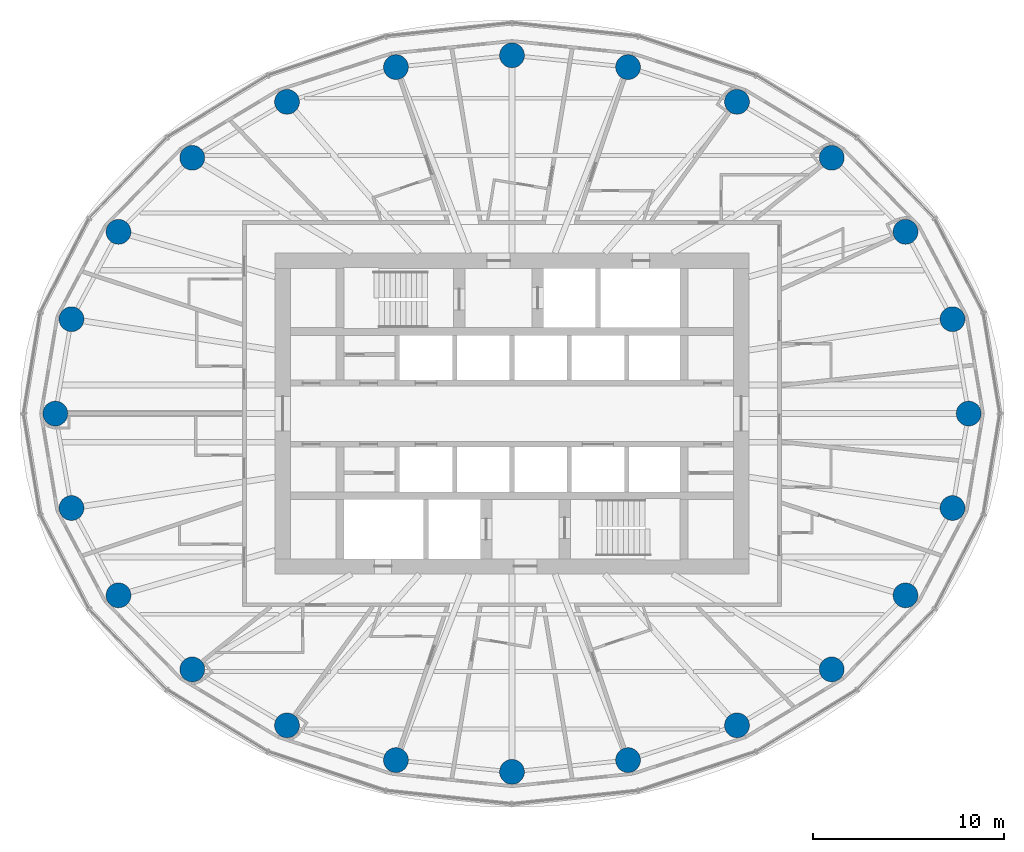
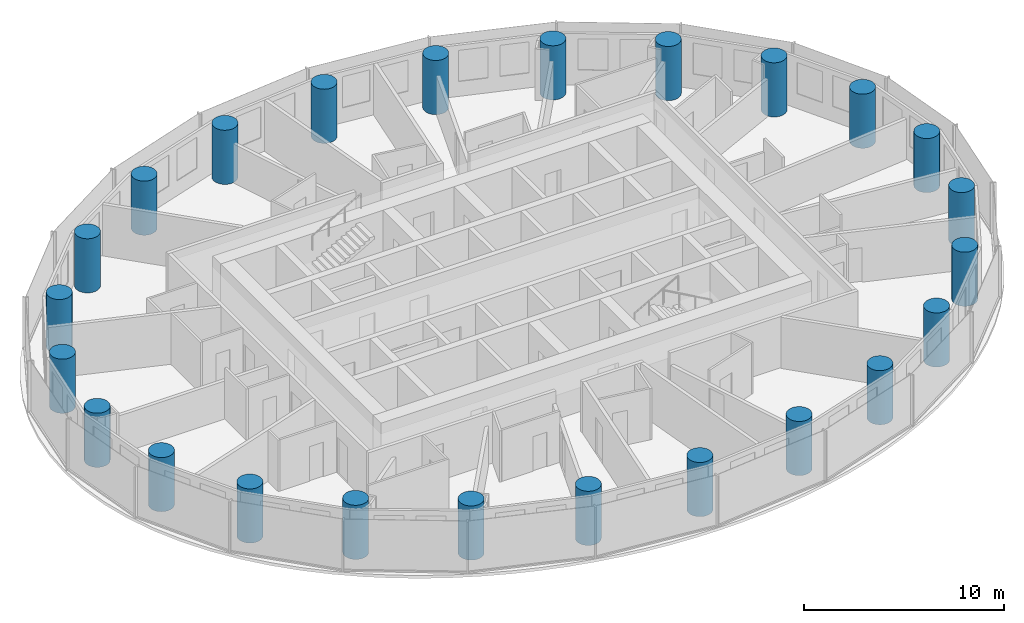
# One storey, part 1 of 13: 24 columns.
"""IFC4 building model written with IfcOpenShell, lengths in metres."""

from ifc_helpers import new_model, si_unit, direction, frame, origin, origin_2d, place, context, subcontext, project, spatial, circle, extrude, material, material_profile, profile_set, type_object, element, save


model = new_model("IFC4")

# Units and contexts
model_context = context("Model", 3, precision=1e-05, world=origin(), true_north=direction((0.0, 1.0)))
body_context = subcontext(model_context, "Body", "Model", "MODEL_VIEW")
ifc_project = project(units=[si_unit("LENGTHUNIT", "METRE"), si_unit("AREAUNIT", "SQUARE_METRE"), si_unit("VOLUMEUNIT", "CUBIC_METRE"), si_unit("PLANEANGLEUNIT", "RADIAN"), si_unit("MASSUNIT", "GRAM", prefix="KILO")], contexts=[model_context])

# Site, building, storey
site_placement = place(None, origin())
site = spatial("IfcSite", under=ifc_project, at=site_placement, CompositionType="ELEMENT")
building_placement = place(site_placement, origin())
building = spatial("IfcBuilding", under=site, at=building_placement, Name="Hankou Lantern Tower", CompositionType="ELEMENT")
storey_placement = place(building_placement, frame((0.0, 0.0, 122.10009765625)))
storey = spatial("IfcBuildingStorey", under=building, at=storey_placement, Name="L31", CompositionType="ELEMENT", Elevation=122.10009765625)

# Columns
ifc_material = material(Name="Concrete C60", Category="concrete")
ifc_material_profile = material_profile(ifc_material, circle(Radius=0.64990234375, at=origin_2d()), Name="RC D1300")
ifc_profile_set = profile_set([ifc_material_profile], Name="Concrete C60")
column_type = type_object("IfcColumnType", Name="TC3 PERIMETER COLUMN RC D1300", PredefinedType="COLUMN", material=ifc_profile_set)
for number, where, z_axis, x_axis, name in (
    (1, (23.89990234375, 0.0, 0.0), (0.0, 0.0, 1.0), (1.0, 0.0, 0.0), "Column R01 L31"),
    (2, (23.054931640625, 4.942138671875, 0.0), (0.0, 0.0, 1.0), (1.0, 0.0, 0.0), "Column R02 L31"),
    (3, (20.595703125, 9.5126953125, 0.0), (0.0, 0.0, 1.0), (1.0, 0.0, 0.0), "Column R03 L31"),
    (4, (16.73388671875, 13.38720703125, 0.0), (0.0, 0.0, 1.0), (1.0, 0.0, 0.0), "Column R04 L31"),
    (5, (11.775390625, 16.31640625, 0.0), (0.0, 0.0, 1.0), (1.0, 0.0, 0.0), "Column R05 L31"),
    (6, (6.073974609375, 18.134521484375, 0.0), (0.0, 0.0, 1.0), (1.0, 0.0, 0.0), "Column R06 L31"),
    (7, (0.0, 18.75, 0.0), (0.0, 0.0, 1.0), (1.0, 0.0, 0.0), "Column R07 L31"),
    (8, (-6.073974609375, 18.134521484375, 0.0), (0.0, 0.0, 1.0), (1.0, 0.0, 0.0), "Column R08 L31"),
    (9, (-11.775390625, 16.31640625, 0.0), (0.0, 0.0, 1.0), (1.0, 0.0, 0.0), "Column R09 L31"),
    (10, (-16.73388671875, 13.38720703125, 0.0), (0.0, 0.0, 1.0), (1.0, 0.0, 0.0), "Column R10 L31"),
    (11, (-20.595703125, 9.5126953125, 0.0), (0.0, 0.0, 1.0), (1.0, 0.0, 0.0), "Column R11 L31"),
    (12, (-23.054931640625, 4.942138671875, 0.0), (0.0, 0.0, 1.0), (1.0, 0.0, 0.0), "Column R12 L31"),
    (13, (-23.89990234375, 0.0, 0.0), (0.0, 0.0, 1.0), (1.0, 0.0, 0.0), "Column R13 L31"),
    (14, (-23.054931640625, -4.942138671875, 0.0), (0.0, 0.0, 1.0), (1.0, 0.0, 0.0), "Column R14 L31"),
    (15, (-20.595703125, -9.5126953125, 0.0), (0.0, 0.0, 1.0), (1.0, 0.0, 0.0), "Column R15 L31"),
    (16, (-16.73388671875, -13.38720703125, 0.0), (0.0, 0.0, 1.0), (1.0, 0.0, 0.0), "Column R16 L31"),
    (17, (-11.775390625, -16.31640625, 0.0), (0.0, 0.0, 1.0), (1.0, 0.0, 0.0), "Column R17 L31"),
    (18, (-6.073974609375, -18.134521484375, 0.0), (0.0, 0.0, 1.0), (1.0, 0.0, 0.0), "Column R18 L31"),
    (19, (0.0, -18.75, 0.0), (0.0, 0.0, 1.0), (1.0, 0.0, 0.0), "Column R19 L31"),
    (20, (6.073974609375, -18.134521484375, 0.0), (0.0, 0.0, 1.0), (1.0, 0.0, 0.0), "Column R20 L31"),
    (21, (11.775390625, -16.31640625, 0.0), (0.0, 0.0, 1.0), (1.0, 0.0, 0.0), "Column R21 L31"),
    (22, (16.73388671875, -13.38720703125, 0.0), (0.0, 0.0, 1.0), (1.0, 0.0, 0.0), "Column R22 L31"),
    (23, (20.595703125, -9.5126953125, 0.0), (0.0, 0.0, 1.0), (1.0, 0.0, 0.0), "Column R23 L31"),
    (24, (23.054931640625, -4.942138671875, 0.0), (0.0, 0.0, 1.0), (1.0, 0.0, 0.0), "Column R24 L31"),
):
    element("IfcColumn", number, at=place(storey_placement, frame(where, z_axis=z_axis, x_axis=x_axis)), inside=storey, type_object=column_type, Name=name, PredefinedType="COLUMN", context=body_context, shape_type="SweptSolid", body=[
        extrude(circle(Radius=0.64990234375, at=origin_2d()), origin(), (0.0, 0.0, 1.0), 3.2998046875),
    ])

save(model, "model.ifc")
